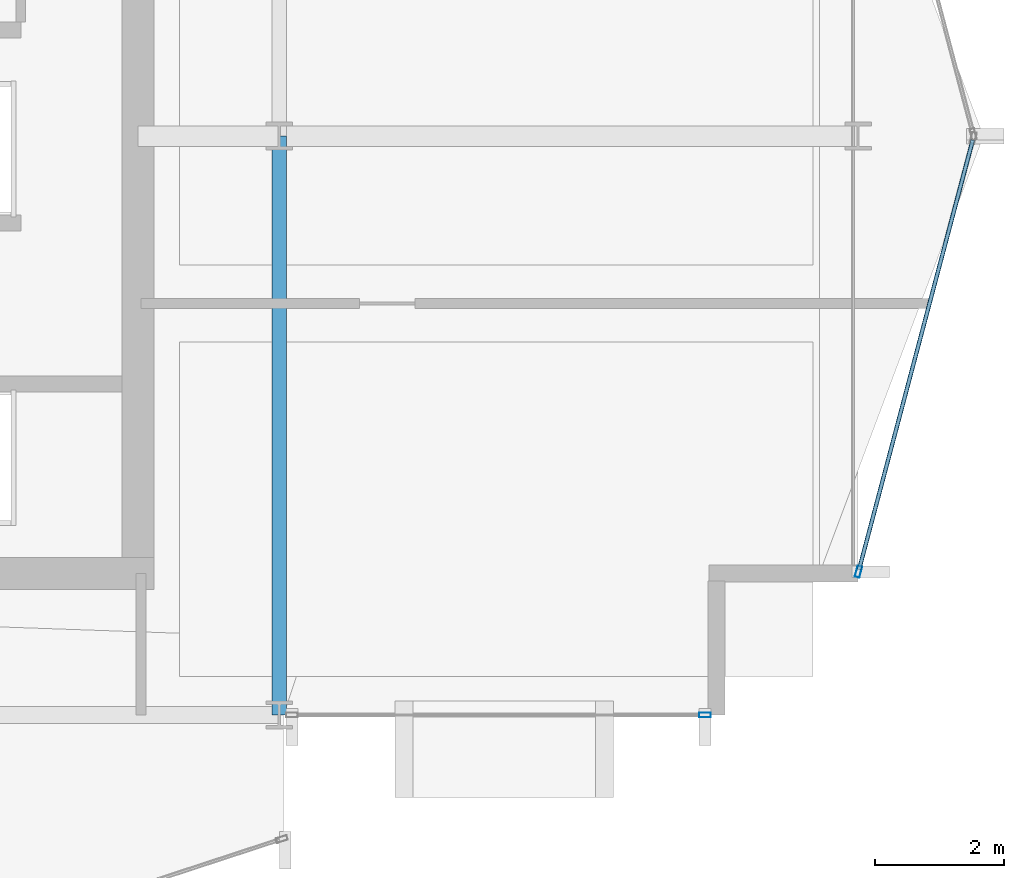
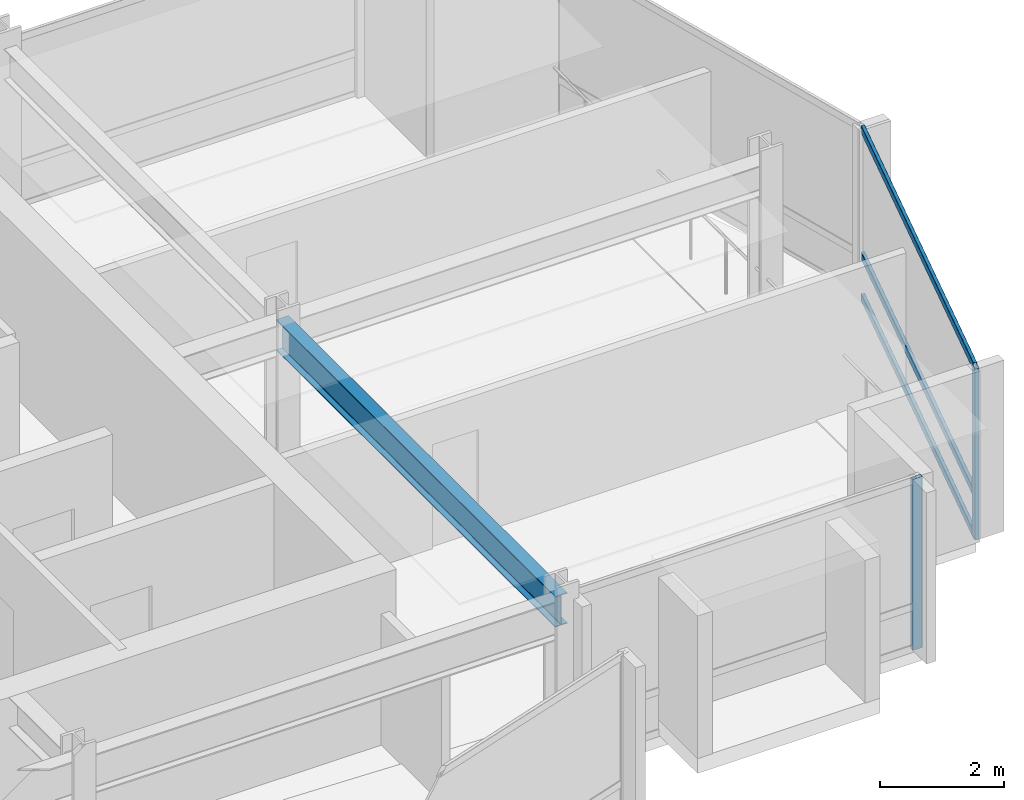
# One storey, part 11 of 29: 5 members, 1 beam, 2 elements without a shape of their own.
"""IFC4 building model written with IfcOpenShell, lengths in metres."""

from ifc_helpers import new_model, si_unit, direction, frame, origin, origin_2d, place, context, subcontext, project, spatial, hollow_rectangle, i_section, extrude, material, layer, layer_set, material_profile, profile_set, type_object, element, aggregate, save


model = new_model("IFC4")

# Units and contexts
model_context = context("Model", 3, precision=1e-05, world=origin(), true_north=direction((0.0, 1.0)))
body_context = subcontext(model_context, "Body", "Model", "MODEL_VIEW")
ifc_project = project(units=[si_unit("LENGTHUNIT", "METRE"), si_unit("AREAUNIT", "SQUARE_METRE"), si_unit("VOLUMEUNIT", "CUBIC_METRE"), si_unit("PLANEANGLEUNIT", "RADIAN"), si_unit("MASSUNIT", "GRAM", prefix="KILO")], contexts=[model_context])

# Site, building, storey
site_placement = place(None, origin())
site = spatial("IfcSite", under=ifc_project, at=site_placement, CompositionType="ELEMENT")
building_placement = place(site_placement, origin())
building = spatial("IfcBuilding", under=site, at=building_placement, Name="Solvaryn Broadcast Tower", CompositionType="ELEMENT")
storey_placement = place(building_placement, frame((0.0, 0.0, 165.5)))
storey = spatial("IfcBuildingStorey", under=building, at=storey_placement, Name="L41", CompositionType="ELEMENT", Elevation=165.5)

# Beam
ifc_material_1 = material(Name="Steel ASTM A992 Grade 50", Category="steel")
ifc_material_profile_1 = material_profile(ifc_material_1, i_section(OverallWidth=0.22802734375, OverallDepth=0.60791015625, WebThickness=0.01123046875, FlangeThickness=0.017333984375, FilletRadius=0.014892578125, at=origin_2d()))
ifc_profile_set_1 = profile_set([ifc_material_profile_1], Name="Steel ASTM A992 Grade 50")
beam_type = type_object("IfcBeamType", Name="BM-B2-W24X76", PredefinedType="BEAM", material=ifc_profile_set_1)
beam_placement = place(storey_placement, frame((45.0, 9.0, 3.06591796875), z_axis=(0.0, 1.0, 0.0), x_axis=(-1.0, 0.0, 0.0)))
element("IfcBeam", 1, at=beam_placement, inside=storey, type_object=beam_type, Name="L41 Primary Beam Y (9-18 @ X=45)", PredefinedType="BEAM", context=body_context, shape_type="SweptSolid", body=[
    extrude(i_section(OverallWidth=0.22802734375, OverallDepth=0.60791015625, WebThickness=0.01123046875, FlangeThickness=0.017333984375, FilletRadius=0.014892578125, at=origin_2d()), origin(), (0.0, 0.0, 1.0), 9.0),
])

# Curtain wall, member
ifc_material_2 = material(Name="Aluminium and Terracotta Unitised Curtain Wall", Category="masonry")
ifc_layer = layer(ifc_material_2, 0.199951171875)
ifc_layer_set = layer_set([ifc_layer], Name="CW-SYS2-LOWMID")
curtain_wall_type = type_object("IfcCurtainWallType", Name="CW-SYS2-LOWMID", PredefinedType="NOTDEFINED", material=ifc_layer_set)
curtain_wall_1_placement = place(storey_placement, origin())
curtain_wall_1 = element("IfcCurtainWall", 2, at=curtain_wall_1_placement, inside=storey, type_object=curtain_wall_type, Name="L41 Curtain Wall S2", PredefinedType="NOTDEFINED")
ifc_material_3 = material(Name="Anodised Aluminium 6063-T6", Category="aluminium")
ifc_material_profile_2 = material_profile(ifc_material_3, hollow_rectangle(XDim=0.074951171875, YDim=0.179931640625, WallThickness=0.00390625, InnerFilletRadius=0.00390625, OuterFilletRadius=0.008056640625, at=origin_2d()))
ifc_profile_set_2 = profile_set([ifc_material_profile_2], Name="Anodised Aluminium 6063-T6")
member_type_1 = type_object("IfcMemberType", Name="CW-MUL-180", PredefinedType="MULLION", material=ifc_profile_set_2)
member_1_placement = place(storey_placement, frame((51.6201171875, 9.0, 0.0), z_axis=(0.0, 0.0, 1.0), x_axis=(0.0, 1.0, 0.0)))
member_1 = element("IfcMember", 3, at=member_1_placement, type_object=member_type_1, Name="CWS2 mullion 2", PredefinedType="MULLION", context=body_context, shape_type="SweptSolid", body=[
    extrude(hollow_rectangle(XDim=0.074951171875, YDim=0.179931640625, WallThickness=0.00390625, InnerFilletRadius=0.00390625, OuterFilletRadius=0.008056640625, at=origin_2d()), origin(), (0.0, 0.0, 1.0), 3.3701171875),
])
aggregate(curtain_wall_1, [member_1])

# Curtain wall, members
curtain_wall_2_placement = place(storey_placement, origin())
curtain_wall_2 = element("IfcCurtainWall", 4, at=curtain_wall_2_placement, inside=storey, type_object=curtain_wall_type, Name="L41 Curtain Wall ET2", PredefinedType="NOTDEFINED")
member_2_placement = place(storey_placement, frame((54.007568359375, 11.22900390625, 0.0), z_axis=(0.0, 0.0, 1.0), x_axis=(0.966705227863, -0.25589256031, 0.0)))
member_2 = element("IfcMember", 5, at=member_2_placement, type_object=member_type_1, Name="CWS2 mullion 2", PredefinedType="MULLION", context=body_context, shape_type="SweptSolid", body=[
    extrude(hollow_rectangle(XDim=0.074951171875, YDim=0.179931640625, WallThickness=0.00390625, InnerFilletRadius=0.00390625, OuterFilletRadius=0.008056640625, at=origin_2d()), origin(), (0.0, 0.0, 1.0), 3.3701171875),
])
ifc_material_4 = material(Name="Anodised Aluminium 6063-T6", Category="aluminium")
ifc_material_profile_3 = material_profile(ifc_material_4, hollow_rectangle(XDim=0.06494140625, YDim=0.14990234375, WallThickness=0.00390625, InnerFilletRadius=0.00390625, OuterFilletRadius=0.008056640625, at=origin_2d()))
ifc_profile_set_3 = profile_set([ifc_material_profile_3], Name="Anodised Aluminium 6063-T6")
member_type_2 = type_object("IfcMemberType", Name="CW-TRN-150", PredefinedType="USERDEFINED", material=ifc_profile_set_3)
member_3_placement = place(storey_placement, frame((55.78466796875, 17.94189453125, 0.030029296875), z_axis=(-0.255897413051, -0.966703943301, 0.0), x_axis=(0.966703943301, -0.255897413051, 0.0)))
member_3 = element("IfcMember", 6, at=member_3_placement, type_object=member_type_2, Name="CWS2 transom 1.1", ObjectType="TRANSOM", PredefinedType="USERDEFINED", context=body_context, shape_type="SweptSolid", body=[
    extrude(hollow_rectangle(XDim=0.06494140625, YDim=0.14990234375, WallThickness=0.00390625, InnerFilletRadius=0.00390625, OuterFilletRadius=0.008056640625, at=origin_2d()), origin(), (0.0, 0.0, 1.0), 6.9140625),
])
member_4_placement = place(storey_placement, frame((55.78466796875, 17.94189453125, 0.85009765625), z_axis=(-0.255897413051, -0.966703943301, 0.0), x_axis=(0.966703943301, -0.255897413051, 0.0)))
member_4 = element("IfcMember", 7, at=member_4_placement, type_object=member_type_2, Name="CWS2 transom 1.2", ObjectType="TRANSOM", PredefinedType="USERDEFINED", context=body_context, shape_type="SweptSolid", body=[
    extrude(hollow_rectangle(XDim=0.06494140625, YDim=0.14990234375, WallThickness=0.00390625, InnerFilletRadius=0.00390625, OuterFilletRadius=0.008056640625, at=origin_2d()), origin(), (0.0, 0.0, 1.0), 6.9140625),
])
member_5_placement = place(storey_placement, frame((55.78466796875, 17.94189453125, 3.340087890625), z_axis=(-0.255897413051, -0.966703943301, 0.0), x_axis=(0.966703943301, -0.255897413051, 0.0)))
member_5 = element("IfcMember", 8, at=member_5_placement, type_object=member_type_2, Name="CWS2 transom 1.3", ObjectType="TRANSOM", PredefinedType="USERDEFINED", context=body_context, shape_type="SweptSolid", body=[
    extrude(hollow_rectangle(XDim=0.06494140625, YDim=0.14990234375, WallThickness=0.00390625, InnerFilletRadius=0.00390625, OuterFilletRadius=0.008056640625, at=origin_2d()), origin(), (0.0, 0.0, 1.0), 6.9140625),
])
aggregate(curtain_wall_2, [member_2, member_3, member_4, member_5])

save(model, "model.ifc")
